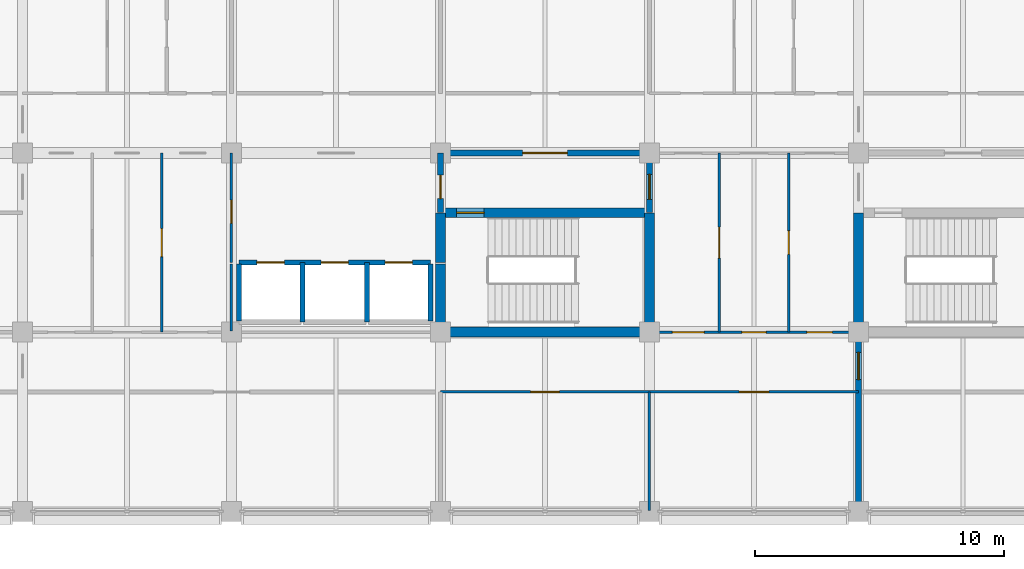
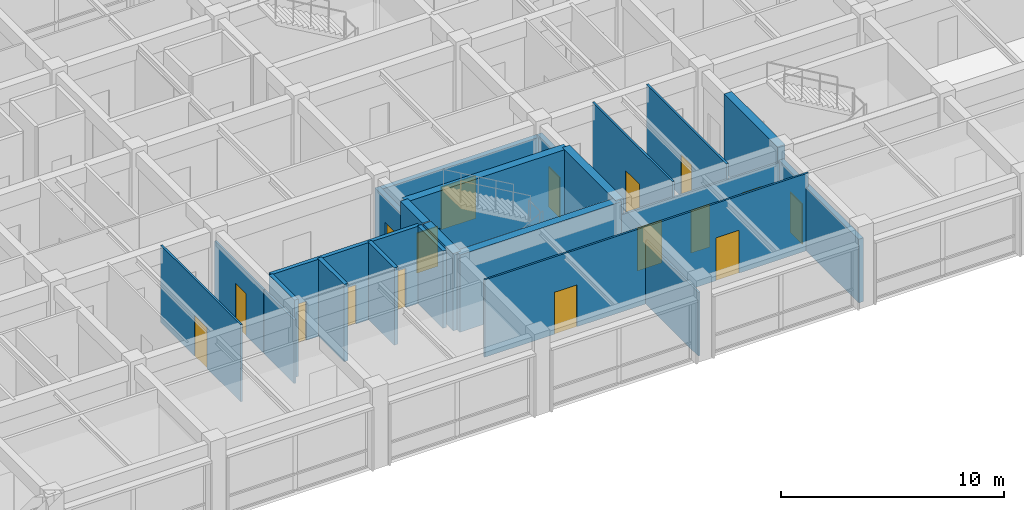
# One storey, part 21 of 30: 23 walls, 17 doors, 17 openings.
"""IFC4 building model written with IfcOpenShell, lengths in metres."""

from ifc_helpers import new_model, si_unit, direction, frame, frame_2d, origin, place, context, subcontext, project, spatial, rectangle, extrude, material, layer, layer_set, type_object, element, fill, save


model = new_model("IFC4")

# Units and contexts
model_context = context("Model", 3, precision=1e-05, world=origin(), true_north=direction((0.0, 1.0)))
body_context = subcontext(model_context, "Body", "Model", "MODEL_VIEW")
ifc_project = project(units=[si_unit("LENGTHUNIT", "METRE"), si_unit("AREAUNIT", "SQUARE_METRE"), si_unit("VOLUMEUNIT", "CUBIC_METRE"), si_unit("PLANEANGLEUNIT", "RADIAN"), si_unit("MASSUNIT", "GRAM", prefix="KILO")], contexts=[model_context])

# Site, building, storey
site_placement = place(None, origin())
site = spatial("IfcSite", under=ifc_project, at=site_placement, CompositionType="ELEMENT")
building_placement = place(site_placement, origin())
building = spatial("IfcBuilding", under=site, at=building_placement, Name="Chengyuan Square Courthouse", CompositionType="ELEMENT")
storey_placement = place(building_placement, frame((0.0, 0.0, 26.10009765625)))
storey = spatial("IfcBuildingStorey", under=building, at=storey_placement, Name="L06", CompositionType="ELEMENT", Elevation=26.10009765625)

# Wall, opening, door
ifc_material_1 = material(Name="Concrete C40", Category="concrete")
ifc_layer_1 = layer(ifc_material_1, 0.25)
ifc_layer_set_1 = layer_set([ifc_layer_1], Name="Concrete C40")
wall_type_1 = type_object("IfcWallType", Name="WL-FW1", PredefinedType="STANDARD", material=ifc_layer_set_1)
wall_1_placement = place(storey_placement, frame((100.800048828125, 93.60009765625, 0.0), z_axis=(0.0, 0.0, 1.0), x_axis=(1.0, 0.0, 0.0)))
wall_1 = element("IfcWall", 1, at=wall_1_placement, inside=storey, type_object=wall_type_1, Name="Interior Wall WL-L06-I2396", PredefinedType="STANDARD", context=body_context, shape_type="SweptSolid", body=[
    extrude(rectangle(XDim=8.39990234375, YDim=0.25, at=frame_2d((4.199951171875, 0.0))), origin(), (0.0, 0.0, 1.0), 3.389892578125),
])
opening_1_placement = place(wall_1_placement, frame((3.300048828125, 0.0, 0.0)))
opening_1 = element("IfcOpeningElement", 2, at=opening_1_placement, cuts=wall_1, Name="Opening DR-2127", PredefinedType="OPENING", context=body_context, shape_type="SweptSolid", body=[
    extrude(rectangle(XDim=1.800048828125, YDim=2.35009765625, at=frame_2d((0.89990234375, 1.175048828125))), frame((0.0, 0.136962890625, 0.0), z_axis=(0.0, -1.0, 0.0), x_axis=(1.0, 0.0, 0.0)), (0.0, 0.0, 1.0), 0.27392578125),
])
ifc_material_2 = material(Name="Steel Q235B Glazed Fire Door", Category="steel")
door_type_1 = type_object("IfcDoorType", Name="DT-18", OperationType="DOUBLE_DOOR_SINGLE_SWING", PredefinedType="DOOR", material=ifc_material_2)
door_1_placement = place(opening_1_placement, frame((1.800048828125, 0.0, 0.0), z_axis=(0.0, 0.0, 1.0), x_axis=(-1.0, 0.0, 0.0)))
door_1 = element("IfcDoor", 3, at=door_1_placement, inside=storey, type_object=door_type_1, Name="Interior Door DR-2127", OperationType="DOUBLE_DOOR_SINGLE_SWING", OverallHeight=2.35009765625, OverallWidth=1.800048828125, PredefinedType="DOOR", context=body_context, shape_type="SweptSolid", body=[
    extrude(rectangle(XDim=1.800048828125, YDim=2.35009765625, at=frame_2d((0.89990234375, 1.175048828125))), frame((0.0, 0.02490234375, 0.0), z_axis=(0.0, -1.0, 0.0), x_axis=(1.0, 0.0, 0.0)), (0.0, 0.0, 1.0), 0.050048828125),
])
fill(opening_1, door_1)

wall_2_placement = place(storey_placement, frame((100.800048828125, 91.199951171875, 0.0), z_axis=(0.0, 0.0, 1.0), x_axis=(0.0, 1.0, 0.0)))
wall_2 = element("IfcWall", 4, at=wall_2_placement, inside=storey, type_object=wall_type_1, Name="Interior Wall WL-L06-I2574", PredefinedType="STANDARD", context=body_context, shape_type="SweptSolid", body=[
    extrude(rectangle(XDim=2.400146484375, YDim=0.25, at=frame_2d((1.2001953125, 0.0))), origin(), (0.0, 0.0, 1.0), 3.489990234375),
])
opening_2_placement = place(wall_2_placement, frame((0.56494140625, 0.0, 0.0)))
opening_2 = element("IfcOpeningElement", 5, at=opening_2_placement, cuts=wall_2, Name="Opening DR-2126", PredefinedType="OPENING", context=body_context, shape_type="SweptSolid", body=[
    extrude(rectangle(XDim=0.949951171875, YDim=2.14990234375, at=frame_2d((0.47509765625, 1.074951171875))), frame((0.0, 0.136962890625, 0.0), z_axis=(0.0, -1.0, 0.0), x_axis=(1.0, 0.0, 0.0)), (0.0, 0.0, 1.0), 0.27392578125),
])
ifc_material_3 = material(Name="Steel Q235B Fire Door", Category="steel")
door_type_2 = type_object("IfcDoorType", Name="DT-12", OperationType="NOTDEFINED", PredefinedType="DOOR", material=ifc_material_3)
door_2_placement = place(opening_2_placement, origin())
door_2 = element("IfcDoor", 6, at=door_2_placement, inside=storey, type_object=door_type_2, Name="Interior Door DR-2126", OperationType="SINGLE_SWING_LEFT", OverallHeight=2.14990234375, OverallWidth=0.949951171875, PredefinedType="DOOR", context=body_context, shape_type="SweptSolid", body=[
    extrude(rectangle(XDim=0.949951171875, YDim=2.14990234375, at=frame_2d((0.47509765625, 1.074951171875))), frame((0.0, 0.02490234375, 0.0), z_axis=(0.0, -1.0, 0.0), x_axis=(1.0, 0.0, 0.0)), (0.0, 0.0, 1.0), 0.050048828125),
])
fill(opening_2, door_2)

wall_3_placement = place(storey_placement, frame((109.199951171875, 91.199951171875, 0.0), z_axis=(0.0, 0.0, 1.0), x_axis=(0.0, 1.0, 0.0)))
wall_3 = element("IfcWall", 7, at=wall_3_placement, inside=storey, type_object=wall_type_1, Name="Interior Wall WL-L06-I2582", PredefinedType="STANDARD", context=body_context, shape_type="SweptSolid", body=[
    extrude(rectangle(XDim=2.400146484375, YDim=0.25, at=frame_2d((1.2001953125, 0.0))), origin(), (0.0, 0.0, 1.0), 3.489990234375),
])
opening_3_placement = place(wall_3_placement, frame((0.5400390625, 0.0, 0.0)))
opening_3 = element("IfcOpeningElement", 8, at=opening_3_placement, cuts=wall_3, Name="Opening DR-2128", PredefinedType="OPENING", context=body_context, shape_type="SweptSolid", body=[
    extrude(rectangle(XDim=1.0, YDim=2.199951171875, at=frame_2d((0.5, 1.10009765625))), frame((0.0, 0.136962890625, 0.0), z_axis=(0.0, -1.0, 0.0), x_axis=(1.0, 0.0, 0.0)), (0.0, 0.0, 1.0), 0.27392578125),
])
door_type_3 = type_object("IfcDoorType", Name="DT-11", OperationType="NOTDEFINED", PredefinedType="DOOR", material=ifc_material_3)
door_3_placement = place(opening_3_placement, origin())
door_3 = element("IfcDoor", 9, at=door_3_placement, inside=storey, type_object=door_type_3, Name="Interior Door DR-2128", OperationType="SINGLE_SWING_RIGHT", OverallHeight=2.199951171875, OverallWidth=1.0, PredefinedType="DOOR", context=body_context, shape_type="SweptSolid", body=[
    extrude(rectangle(XDim=1.0, YDim=2.199951171875, at=frame_2d((0.5, 1.10009765625))), frame((0.0, 0.02490234375, 0.0), z_axis=(0.0, -1.0, 0.0), x_axis=(1.0, 0.0, 0.0)), (0.0, 0.0, 1.0), 0.050048828125),
])
fill(opening_3, door_3)

wall_4_placement = place(storey_placement, frame((117.60009765625, 79.239990234375, 0.0), z_axis=(0.0, 0.0, 1.0), x_axis=(0.0, 1.0, 0.0)))
wall_4 = element("IfcWall", 10, at=wall_4_placement, inside=storey, type_object=wall_type_1, Name="Interior Wall WL-L06-I2595", PredefinedType="STANDARD", context=body_context, shape_type="SweptSolid", body=[
    extrude(rectangle(XDim=7.159912109375, YDim=0.25, at=frame_2d((3.580078125, 0.0))), origin(), (0.0, 0.0, 1.0), 3.489990234375),
])
opening_4_placement = place(wall_4_placement, frame((5.25, 0.0, 0.0)))
opening_4 = element("IfcOpeningElement", 11, at=opening_4_placement, cuts=wall_4, Name="Opening DR-2295", PredefinedType="OPENING", context=body_context, shape_type="SweptSolid", body=[
    extrude(rectangle(XDim=1.10009765625, YDim=2.199951171875, at=frame_2d((0.550048828125, 1.10009765625))), frame((0.0, 0.136962890625, 0.0), z_axis=(0.0, -1.0, 0.0), x_axis=(1.0, 0.0, 0.0)), (0.0, 0.0, 1.0), 0.27392578125),
])
door_type_4 = type_object("IfcDoorType", Name="DT-10", OperationType="NOTDEFINED", PredefinedType="DOOR", material=ifc_material_3)
door_4_placement = place(opening_4_placement, origin())
door_4 = element("IfcDoor", 12, at=door_4_placement, inside=storey, type_object=door_type_4, Name="Interior Door DR-2295", OperationType="SINGLE_SWING_LEFT", OverallHeight=2.199951171875, OverallWidth=1.10009765625, PredefinedType="DOOR", context=body_context, shape_type="SweptSolid", body=[
    extrude(rectangle(XDim=1.10009765625, YDim=2.199951171875, at=frame_2d((0.550048828125, 1.10009765625))), frame((0.0, 0.02490234375, 0.0), z_axis=(0.0, -1.0, 0.0), x_axis=(1.0, 0.0, 0.0)), (0.0, 0.0, 1.0), 0.050048828125),
])
fill(opening_4, door_4)

# Wall, openings, doors
ifc_material_4 = material(Name="Gypsum Plasterboard Acoustic Stud Partition")
ifc_layer_2 = layer(ifc_material_4, 0.10009765625)
ifc_layer_set_2 = layer_set([ifc_layer_2], Name="Gypsum Plasterboard Acoustic Stud Partition")
wall_type_2 = type_object("IfcWallType", Name="WL-PT6", PredefinedType="STANDARD", material=ifc_layer_set_2)
wall_5_placement = place(storey_placement, frame((100.800048828125, 84.0, 0.0), z_axis=(0.0, 0.0, 1.0), x_axis=(1.0, 0.0, 0.0)))
wall_5 = element("IfcWall", 13, at=wall_5_placement, inside=storey, type_object=wall_type_2, Name="Interior Wall WL-L06-I2363", PredefinedType="STANDARD", context=body_context, shape_type="SweptSolid", body=[
    extrude(rectangle(XDim=16.800048828125, YDim=0.10009765625, at=frame_2d((8.39990234375, 0.0))), origin(), (0.0, 0.0, 1.0), 4.239990234375),
])
opening_5_placement = place(wall_5_placement, frame((3.6201171875, 0.0, 0.0)))
opening_5 = element("IfcOpeningElement", 14, at=opening_5_placement, cuts=wall_5, Name="Opening DR-2297", PredefinedType="OPENING", context=body_context, shape_type="SweptSolid", body=[
    extrude(rectangle(XDim=1.159912109375, YDim=2.300048828125, at=frame_2d((0.580078125, 1.14990234375))), frame((0.0, 0.06201171875, 0.0), z_axis=(0.0, -1.0, 0.0), x_axis=(1.0, 0.0, 0.0)), (0.0, 0.0, 1.0), 0.1240234375),
])
opening_6_placement = place(wall_5_placement, frame((12.0, 0.0, 0.0)))
opening_6 = element("IfcOpeningElement", 15, at=opening_6_placement, cuts=wall_5, Name="Opening DR-2298", PredefinedType="OPENING", context=body_context, shape_type="SweptSolid", body=[
    extrude(rectangle(XDim=1.199951171875, YDim=2.35009765625, at=frame_2d((0.60009765625, 1.175048828125))), frame((0.0, 0.06201171875, 0.0), z_axis=(0.0, -1.0, 0.0), x_axis=(1.0, 0.0, 0.0)), (0.0, 0.0, 1.0), 0.1240234375),
])
ifc_material_5 = material(Name="Acoustic Solid-Core Timber Door", Category="wood")
door_type_5 = type_object("IfcDoorType", Name="DT-35", OperationType="NOTDEFINED", PredefinedType="DOOR", material=ifc_material_5)
door_5_placement = place(opening_5_placement, origin())
door_5 = element("IfcDoor", 16, at=door_5_placement, inside=storey, type_object=door_type_5, Name="Interior Door DR-2297", OperationType="SINGLE_SWING_RIGHT", OverallHeight=2.300048828125, OverallWidth=1.159912109375, PredefinedType="DOOR", context=body_context, shape_type="SweptSolid", body=[
    extrude(rectangle(XDim=1.159912109375, YDim=2.300048828125, at=frame_2d((0.580078125, 1.14990234375))), frame((0.0, 0.02490234375, 0.0), z_axis=(0.0, -1.0, 0.0), x_axis=(1.0, 0.0, 0.0)), (0.0, 0.0, 1.0), 0.050048828125),
])
fill(opening_5, door_5)
door_type_6 = type_object("IfcDoorType", Name="DT-36", OperationType="NOTDEFINED", PredefinedType="DOOR", material=ifc_material_5)
door_6_placement = place(opening_6_placement, origin())
door_6 = element("IfcDoor", 17, at=door_6_placement, inside=storey, type_object=door_type_6, Name="Interior Door DR-2298", OperationType="SINGLE_SWING_LEFT", OverallHeight=2.35009765625, OverallWidth=1.199951171875, PredefinedType="DOOR", context=body_context, shape_type="SweptSolid", body=[
    extrude(rectangle(XDim=1.199951171875, YDim=2.35009765625, at=frame_2d((0.60009765625, 1.175048828125))), frame((0.0, 0.02490234375, 0.0), z_axis=(0.0, -1.0, 0.0), x_axis=(1.0, 0.0, 0.0)), (0.0, 0.0, 1.0), 0.050048828125),
])
fill(opening_6, door_6)

wall_6_placement = place(storey_placement, frame((109.199951171875, 86.39990234375, 0.0), z_axis=(0.0, 0.0, 1.0), x_axis=(1.0, 0.0, 0.0)))
wall_6 = element("IfcWall", 18, at=wall_6_placement, inside=storey, type_object=wall_type_2, Name="Interior Wall WL-L06-I2375", PredefinedType="STANDARD", context=body_context, shape_type="SweptSolid", body=[
    extrude(rectangle(XDim=8.400146484375, YDim=0.10009765625, at=frame_2d((4.2001953125, 0.0))), origin(), (0.0, 0.0, 1.0), 3.389892578125),
])
opening_7_placement = place(wall_6_placement, frame((0.919921875, 0.0, 0.0)))
opening_7 = element("IfcOpeningElement", 19, at=opening_7_placement, cuts=wall_6, Name="Opening DR-2266", PredefinedType="OPENING", context=body_context, shape_type="SweptSolid", body=[
    extrude(rectangle(XDim=1.280029296875, YDim=2.35009765625, at=frame_2d((0.64013671875, 1.175048828125))), frame((0.0, 0.06201171875, 0.0), z_axis=(0.0, -1.0, 0.0), x_axis=(1.0, 0.0, 0.0)), (0.0, 0.0, 1.0), 0.1240234375),
])
opening_8_placement = place(wall_6_placement, frame((3.7099609375, 0.0, 0.0)))
opening_8 = element("IfcOpeningElement", 20, at=opening_8_placement, cuts=wall_6, Name="Opening DR-2268", PredefinedType="OPENING", context=body_context, shape_type="SweptSolid", body=[
    extrude(rectangle(XDim=0.97998046875, YDim=2.35009765625, at=frame_2d((0.489990234375, 1.175048828125))), frame((0.0, 0.06201171875, 0.0), z_axis=(0.0, -1.0, 0.0), x_axis=(1.0, 0.0, 0.0)), (0.0, 0.0, 1.0), 0.1240234375),
])
opening_9_placement = place(wall_6_placement, frame((6.330078125, 0.0, 0.0)))
opening_9 = element("IfcOpeningElement", 21, at=opening_9_placement, cuts=wall_6, Name="Opening DR-2269", PredefinedType="OPENING", context=body_context, shape_type="SweptSolid", body=[
    extrude(rectangle(XDim=1.02001953125, YDim=2.39990234375, at=frame_2d((0.510009765625, 1.199951171875))), frame((0.0, 0.06201171875, 0.0), z_axis=(0.0, -1.0, 0.0), x_axis=(1.0, 0.0, 0.0)), (0.0, 0.0, 1.0), 0.1240234375),
])
door_type_7 = type_object("IfcDoorType", Name="DT-38", OperationType="NOTDEFINED", PredefinedType="DOOR", material=ifc_material_5)
door_7_placement = place(opening_7_placement, origin())
door_7 = element("IfcDoor", 22, at=door_7_placement, inside=storey, type_object=door_type_7, Name="Interior Door DR-2266", OperationType="SINGLE_SWING_LEFT", OverallHeight=2.35009765625, OverallWidth=1.280029296875, PredefinedType="DOOR", context=body_context, shape_type="SweptSolid", body=[
    extrude(rectangle(XDim=1.280029296875, YDim=2.35009765625, at=frame_2d((0.64013671875, 1.175048828125))), frame((0.0, 0.02490234375, 0.0), z_axis=(0.0, -1.0, 0.0), x_axis=(1.0, 0.0, 0.0)), (0.0, 0.0, 1.0), 0.050048828125),
])
fill(opening_7, door_7)
door_type_8 = type_object("IfcDoorType", Name="DT-40", OperationType="NOTDEFINED", PredefinedType="DOOR", material=ifc_material_5)
door_8_placement = place(opening_8_placement, origin())
door_8 = element("IfcDoor", 23, at=door_8_placement, inside=storey, type_object=door_type_8, Name="Interior Door DR-2268", OperationType="SINGLE_SWING_LEFT", OverallHeight=2.35009765625, OverallWidth=0.97998046875, PredefinedType="DOOR", context=body_context, shape_type="SweptSolid", body=[
    extrude(rectangle(XDim=0.97998046875, YDim=2.35009765625, at=frame_2d((0.489990234375, 1.175048828125))), frame((0.0, 0.02490234375, 0.0), z_axis=(0.0, -1.0, 0.0), x_axis=(1.0, 0.0, 0.0)), (0.0, 0.0, 1.0), 0.050048828125),
])
fill(opening_8, door_8)
door_type_9 = type_object("IfcDoorType", Name="DT-41", OperationType="NOTDEFINED", PredefinedType="DOOR", material=ifc_material_5)
door_9_placement = place(opening_9_placement, origin())
door_9 = element("IfcDoor", 24, at=door_9_placement, inside=storey, type_object=door_type_9, Name="Interior Door DR-2269", OperationType="SINGLE_SWING_RIGHT", OverallHeight=2.39990234375, OverallWidth=1.02001953125, PredefinedType="DOOR", context=body_context, shape_type="SweptSolid", body=[
    extrude(rectangle(XDim=1.02001953125, YDim=2.39990234375, at=frame_2d((0.510009765625, 1.199951171875))), frame((0.0, 0.02490234375, 0.0), z_axis=(0.0, -1.0, 0.0), x_axis=(1.0, 0.0, 0.0)), (0.0, 0.0, 1.0), 0.050048828125),
])
fill(opening_9, door_9)

# Wall, opening, door
wall_7_placement = place(storey_placement, frame((89.60009765625, 86.39990234375, 0.0), z_axis=(0.0, 0.0, 1.0), x_axis=(0.0, 1.0, 0.0)))
wall_7 = element("IfcWall", 25, at=wall_7_placement, inside=storey, type_object=wall_type_2, Name="Interior Wall WL-L06-I2554", PredefinedType="STANDARD", context=body_context, shape_type="SweptSolid", body=[
    extrude(rectangle(XDim=7.2001953125, YDim=0.10009765625, at=frame_2d((3.60009765625, 0.0))), origin(), (0.0, 0.0, 1.0), 4.239990234375),
])
opening_10_placement = place(wall_7_placement, frame((3.0400390625, 0.0, 0.0)))
opening_10 = element("IfcOpeningElement", 26, at=opening_10_placement, cuts=wall_7, Name="Opening DR-2262", PredefinedType="OPENING", context=body_context, shape_type="SweptSolid", body=[
    extrude(rectangle(XDim=1.1201171875, YDim=2.25, at=frame_2d((0.56005859375, 1.125))), frame((0.0, 0.06201171875, 0.0), z_axis=(0.0, -1.0, 0.0), x_axis=(1.0, 0.0, 0.0)), (0.0, 0.0, 1.0), 0.1240234375),
])
door_type_10 = type_object("IfcDoorType", Name="DT-34", OperationType="NOTDEFINED", PredefinedType="DOOR", material=ifc_material_5)
door_10_placement = place(opening_10_placement, origin())
door_10 = element("IfcDoor", 27, at=door_10_placement, inside=storey, type_object=door_type_10, Name="Interior Door DR-2262", OperationType="SINGLE_SWING_LEFT", OverallHeight=2.25, OverallWidth=1.1201171875, PredefinedType="DOOR", context=body_context, shape_type="SweptSolid", body=[
    extrude(rectangle(XDim=1.1201171875, YDim=2.25, at=frame_2d((0.56005859375, 1.125))), frame((0.0, 0.02490234375, 0.0), z_axis=(0.0, -1.0, 0.0), x_axis=(1.0, 0.0, 0.0)), (0.0, 0.0, 1.0), 0.050048828125),
])
fill(opening_10, door_10)

# Wall
wall_8_placement = place(storey_placement, frame((92.39990234375, 86.449951171875, 0.0), z_axis=(0.0, 0.0, 1.0), x_axis=(0.0, 1.0, 0.0)))
element("IfcWall", 28, at=wall_8_placement, inside=storey, type_object=wall_type_2, Name="Interior Wall WL-L06-I2557", PredefinedType="STANDARD", context=body_context, shape_type="SweptSolid", body=[
    extrude(rectangle(XDim=2.699951171875, YDim=0.10009765625, at=frame_2d((1.35009765625, 0.0))), origin(), (0.0, 0.0, 1.0), 3.489990234375),
])

# Wall, opening, door
wall_9_placement = place(storey_placement, frame((92.39990234375, 89.199951171875, 0.0), z_axis=(0.0, 0.0, 1.0), x_axis=(0.0, 1.0, 0.0)))
wall_9 = element("IfcWall", 29, at=wall_9_placement, inside=storey, type_object=wall_type_2, Name="Interior Wall WL-L06-I2558", PredefinedType="STANDARD", context=body_context, shape_type="SweptSolid", body=[
    extrude(rectangle(XDim=4.400146484375, YDim=0.10009765625, at=frame_2d((2.2001953125, 0.0))), origin(), (0.0, 0.0, 1.0), 3.489990234375),
])
opening_11_placement = place(wall_9_placement, frame((1.570068359375, 0.0, 0.0)))
opening_11 = element("IfcOpeningElement", 30, at=opening_11_placement, cuts=wall_9, Name="Opening DR-2165", PredefinedType="OPENING", context=body_context, shape_type="SweptSolid", body=[
    extrude(rectangle(XDim=0.93994140625, YDim=2.300048828125, at=frame_2d((0.469970703125, 1.14990234375))), frame((0.0, 0.06201171875, 0.0), z_axis=(0.0, -1.0, 0.0), x_axis=(1.0, 0.0, 0.0)), (0.0, 0.0, 1.0), 0.1240234375),
])
door_type_11 = type_object("IfcDoorType", Name="DT-39", OperationType="NOTDEFINED", PredefinedType="DOOR", material=ifc_material_5)
door_11_placement = place(opening_11_placement, origin())
door_11 = element("IfcDoor", 31, at=door_11_placement, inside=storey, type_object=door_type_11, Name="Interior Door DR-2165", OperationType="SINGLE_SWING_RIGHT", OverallHeight=2.300048828125, OverallWidth=0.93994140625, PredefinedType="DOOR", context=body_context, shape_type="SweptSolid", body=[
    extrude(rectangle(XDim=0.93994140625, YDim=2.300048828125, at=frame_2d((0.469970703125, 1.14990234375))), frame((0.0, 0.02490234375, 0.0), z_axis=(0.0, -1.0, 0.0), x_axis=(1.0, 0.0, 0.0)), (0.0, 0.0, 1.0), 0.050048828125),
])
fill(opening_11, door_11)

# Wall
wall_10_placement = place(storey_placement, frame((109.199951171875, 79.239990234375, 0.0), z_axis=(0.0, 0.0, 1.0), x_axis=(0.0, 1.0, 0.0)))
element("IfcWall", 32, at=wall_10_placement, inside=storey, type_object=wall_type_2, Name="Interior Wall WL-L06-I2580", PredefinedType="STANDARD", context=body_context, shape_type="SweptSolid", body=[
    extrude(rectangle(XDim=4.760009765625, YDim=0.10009765625, at=frame_2d((2.3798828125, 0.0))), origin(), (0.0, 0.0, 1.0), 3.489990234375),
])

# Wall, opening, door
wall_11_placement = place(storey_placement, frame((112.0, 86.39990234375, 0.0), z_axis=(0.0, 0.0, 1.0), x_axis=(0.0, 1.0, 0.0)))
wall_11 = element("IfcWall", 33, at=wall_11_placement, inside=storey, type_object=wall_type_2, Name="Interior Wall WL-L06-I2587", PredefinedType="STANDARD", context=body_context, shape_type="SweptSolid", body=[
    extrude(rectangle(XDim=7.2001953125, YDim=0.10009765625, at=frame_2d((3.60009765625, 0.0))), origin(), (0.0, 0.0, 1.0), 4.239990234375),
])
opening_12_placement = place(wall_11_placement, frame((2.97998046875, 0.0, 0.0)))
opening_12 = element("IfcOpeningElement", 34, at=opening_12_placement, cuts=wall_11, Name="Opening DR-2265", PredefinedType="OPENING", context=body_context, shape_type="SweptSolid", body=[
    extrude(rectangle(XDim=1.239990234375, YDim=2.300048828125, at=frame_2d((0.6201171875, 1.14990234375))), frame((0.0, 0.06201171875, 0.0), z_axis=(0.0, -1.0, 0.0), x_axis=(1.0, 0.0, 0.0)), (0.0, 0.0, 1.0), 0.1240234375),
])
door_type_12 = type_object("IfcDoorType", Name="DT-37", OperationType="NOTDEFINED", PredefinedType="DOOR", material=ifc_material_5)
door_12_placement = place(opening_12_placement, origin())
door_12 = element("IfcDoor", 35, at=door_12_placement, inside=storey, type_object=door_type_12, Name="Interior Door DR-2265", OperationType="SINGLE_SWING_RIGHT", OverallHeight=2.300048828125, OverallWidth=1.239990234375, PredefinedType="DOOR", context=body_context, shape_type="SweptSolid", body=[
    extrude(rectangle(XDim=1.239990234375, YDim=2.300048828125, at=frame_2d((0.6201171875, 1.14990234375))), frame((0.0, 0.02490234375, 0.0), z_axis=(0.0, -1.0, 0.0), x_axis=(1.0, 0.0, 0.0)), (0.0, 0.0, 1.0), 0.050048828125),
])
fill(opening_12, door_12)

wall_12_placement = place(storey_placement, frame((114.800048828125, 86.39990234375, 0.0), z_axis=(0.0, 0.0, 1.0), x_axis=(0.0, 1.0, 0.0)))
wall_12 = element("IfcWall", 36, at=wall_12_placement, inside=storey, type_object=wall_type_2, Name="Interior Wall WL-L06-I2592", PredefinedType="STANDARD", context=body_context, shape_type="SweptSolid", body=[
    extrude(rectangle(XDim=7.2001953125, YDim=0.10009765625, at=frame_2d((3.60009765625, 0.0))), origin(), (0.0, 0.0, 1.0), 4.239990234375),
])
opening_13_placement = place(wall_12_placement, frame((3.1298828125, 0.0, 0.0)))
opening_13 = element("IfcOpeningElement", 37, at=opening_13_placement, cuts=wall_12, Name="Opening DR-2267", PredefinedType="OPENING", context=body_context, shape_type="SweptSolid", body=[
    extrude(rectangle(XDim=0.93994140625, YDim=2.300048828125, at=frame_2d((0.469970703125, 1.14990234375))), frame((0.0, 0.06201171875, 0.0), z_axis=(0.0, -1.0, 0.0), x_axis=(1.0, 0.0, 0.0)), (0.0, 0.0, 1.0), 0.1240234375),
])
door_13_placement = place(opening_13_placement, origin())
door_13 = element("IfcDoor", 38, at=door_13_placement, inside=storey, type_object=door_type_11, Name="Interior Door DR-2267", OperationType="SINGLE_SWING_RIGHT", OverallHeight=2.300048828125, OverallWidth=0.93994140625, PredefinedType="DOOR", context=body_context, shape_type="SweptSolid", body=[
    extrude(rectangle(XDim=0.93994140625, YDim=2.300048828125, at=frame_2d((0.469970703125, 1.14990234375))), frame((0.0, 0.02490234375, 0.0), z_axis=(0.0, -1.0, 0.0), x_axis=(1.0, 0.0, 0.0)), (0.0, 0.0, 1.0), 0.050048828125),
])
fill(opening_13, door_13)

# Wall, openings, doors
ifc_material_6 = material(Name="Reinforced Masonry Shaft Enclosure", Category="masonry")
ifc_layer_3 = layer(ifc_material_6, 0.199951171875)
ifc_layer_set_3 = layer_set([ifc_layer_3], Name="Reinforced Masonry Shaft Enclosure")
wall_type_3 = type_object("IfcWallType", Name="WL-SH1", PredefinedType="STANDARD", material=ifc_layer_set_3)
wall_13_placement = place(storey_placement, frame((92.699951171875, 89.199951171875, 0.0), z_axis=(0.0, 0.0, 1.0), x_axis=(1.0, 0.0, 0.0)))
wall_13 = element("IfcWall", 39, at=wall_13_placement, inside=storey, type_object=wall_type_3, Name="Interior Wall WL-L06-I2385", PredefinedType="STANDARD", context=body_context, shape_type="SweptSolid", body=[
    extrude(rectangle(XDim=7.699951171875, YDim=0.199951171875, at=frame_2d((3.85009765625, 0.0))), origin(), (0.0, 0.0, 1.0), 4.239990234375),
])
opening_14_placement = place(wall_13_placement, frame((0.72509765625, 0.0, 0.0)))
opening_14 = element("IfcOpeningElement", 40, at=opening_14_placement, cuts=wall_13, Name="Opening LD-112", PredefinedType="OPENING", context=body_context, shape_type="SweptSolid", body=[
    extrude(rectangle(XDim=1.10009765625, YDim=2.14990234375, at=frame_2d((0.550048828125, 1.074951171875))), frame((0.0, 0.112060546875, 0.0), z_axis=(0.0, -1.0, 0.0), x_axis=(1.0, 0.0, 0.0)), (0.0, 0.0, 1.0), 0.223876953125),
])
opening_15_placement = place(wall_13_placement, frame((3.300048828125, 0.0, 0.0)))
opening_15 = element("IfcOpeningElement", 41, at=opening_15_placement, cuts=wall_13, Name="Opening LD-113", PredefinedType="OPENING", context=body_context, shape_type="SweptSolid", body=[
    extrude(rectangle(XDim=1.10009765625, YDim=2.14990234375, at=frame_2d((0.550048828125, 1.074951171875))), frame((0.0, 0.112060546875, 0.0), z_axis=(0.0, -1.0, 0.0), x_axis=(1.0, 0.0, 0.0)), (0.0, 0.0, 1.0), 0.223876953125),
])
opening_16_placement = place(wall_13_placement, frame((5.875, 0.0, 0.0)))
opening_16 = element("IfcOpeningElement", 42, at=opening_16_placement, cuts=wall_13, Name="Opening LD-114", PredefinedType="OPENING", context=body_context, shape_type="SweptSolid", body=[
    extrude(rectangle(XDim=1.10009765625, YDim=2.14990234375, at=frame_2d((0.550048828125, 1.074951171875))), frame((0.0, 0.112060546875, 0.0), z_axis=(0.0, -1.0, 0.0), x_axis=(1.0, 0.0, 0.0)), (0.0, 0.0, 1.0), 0.223876953125),
])
ifc_material_7 = material(Name="Stainless Steel S30408 Lift Landing Door", Category="steel")
door_type_13 = type_object("IfcDoorType", Name="DT-06", OperationType="DOUBLE_DOOR_SLIDING", PredefinedType="DOOR", material=ifc_material_7)
door_14_placement = place(opening_14_placement, origin())
door_14 = element("IfcDoor", 43, at=door_14_placement, inside=storey, type_object=door_type_13, Name="Lift Landing Door LF-P4 L06", OperationType="DOUBLE_DOOR_SLIDING", OverallHeight=2.14990234375, OverallWidth=1.10009765625, PredefinedType="DOOR", context=body_context, shape_type="SweptSolid", body=[
    extrude(rectangle(XDim=1.10009765625, YDim=2.14990234375, at=frame_2d((0.550048828125, 1.074951171875))), frame((0.0, 0.02490234375, 0.0), z_axis=(0.0, -1.0, 0.0), x_axis=(1.0, 0.0, 0.0)), (0.0, 0.0, 1.0), 0.050048828125),
])
fill(opening_14, door_14)
door_15_placement = place(opening_15_placement, origin())
door_15 = element("IfcDoor", 44, at=door_15_placement, inside=storey, type_object=door_type_13, Name="Lift Landing Door LF-P5 L06", OperationType="DOUBLE_DOOR_SLIDING", OverallHeight=2.14990234375, OverallWidth=1.10009765625, PredefinedType="DOOR", context=body_context, shape_type="SweptSolid", body=[
    extrude(rectangle(XDim=1.10009765625, YDim=2.14990234375, at=frame_2d((0.550048828125, 1.074951171875))), frame((0.0, 0.02490234375, 0.0), z_axis=(0.0, -1.0, 0.0), x_axis=(1.0, 0.0, 0.0)), (0.0, 0.0, 1.0), 0.050048828125),
])
fill(opening_15, door_15)
door_16_placement = place(opening_16_placement, origin())
door_16 = element("IfcDoor", 45, at=door_16_placement, inside=storey, type_object=door_type_13, Name="Lift Landing Door LF-P6 L06", OperationType="DOUBLE_DOOR_SLIDING", OverallHeight=2.14990234375, OverallWidth=1.10009765625, PredefinedType="DOOR", context=body_context, shape_type="SweptSolid", body=[
    extrude(rectangle(XDim=1.10009765625, YDim=2.14990234375, at=frame_2d((0.550048828125, 1.074951171875))), frame((0.0, 0.02490234375, 0.0), z_axis=(0.0, -1.0, 0.0), x_axis=(1.0, 0.0, 0.0)), (0.0, 0.0, 1.0), 0.050048828125),
])
fill(opening_16, door_16)

# Walls
wall_14_placement = place(storey_placement, frame((92.699951171875, 86.85009765625, 0.0), z_axis=(0.0, 0.0, 1.0), x_axis=(0.0, 1.0, 0.0)))
element("IfcWall", 46, at=wall_14_placement, inside=storey, type_object=wall_type_3, Name="Interior Wall WL-L06-I2563", PredefinedType="STANDARD", context=body_context, shape_type="SweptSolid", body=[
    extrude(rectangle(XDim=2.2998046875, YDim=0.199951171875, at=frame_2d((1.14990234375, 0.0))), origin(), (0.0, 0.0, 1.0), 4.239990234375),
])
for number, where, z_axis, x_axis, name in (
    (47, (95.25, 86.800048828125, 0.0), (0.0, 0.0, 1.0), (0.0, 1.0, 0.0), "Interior Wall WL-L06-I2564"),
    (48, (97.85009765625, 86.800048828125, 0.0), (0.0, 0.0, 1.0), (0.0, 1.0, 0.0), "Interior Wall WL-L06-I2568"),
):
    element("IfcWall", number, at=place(storey_placement, frame(where, z_axis=z_axis, x_axis=x_axis)), inside=storey, type_object=wall_type_3, Name=name, PredefinedType="STANDARD", context=body_context, shape_type="SweptSolid", body=[
        extrude(rectangle(XDim=2.39990234375, YDim=0.199951171875, at=frame_2d((1.199951171875, 0.0))), origin(), (0.0, 0.0, 1.0), 4.239990234375),
    ])
wall_15_placement = place(storey_placement, frame((100.39990234375, 86.85009765625, 0.0), z_axis=(0.0, 0.0, 1.0), x_axis=(0.0, 1.0, 0.0)))
element("IfcWall", 49, at=wall_15_placement, inside=storey, type_object=wall_type_3, Name="Interior Wall WL-L06-I2569", PredefinedType="STANDARD", context=body_context, shape_type="SweptSolid", body=[
    extrude(rectangle(XDim=2.2998046875, YDim=0.199951171875, at=frame_2d((1.14990234375, 0.0))), origin(), (0.0, 0.0, 1.0), 4.239990234375),
])
ifc_material_8 = material(Name="Concrete C50", Category="concrete")
ifc_layer_4 = layer(ifc_material_8, 0.39990234375)
ifc_layer_set_4 = layer_set([ifc_layer_4], Name="Concrete C50")
wall_type_4 = type_object("IfcWallType", Name="WL-SW1", PredefinedType="SHEAR", material=ifc_layer_set_4)
wall_16_placement = place(storey_placement, frame((100.800048828125, 86.39990234375, 0.0), z_axis=(0.0, 0.0, 1.0), x_axis=(1.0, 0.0, 0.0)))
element("IfcWall", 50, at=wall_16_placement, inside=storey, type_object=wall_type_4, Name="Interior Wall WL-L06-I2374", PredefinedType="SHEAR", context=body_context, shape_type="SweptSolid", body=[
    extrude(rectangle(XDim=8.39990234375, YDim=0.39990234375, at=frame_2d((4.199951171875, 0.0))), origin(), (0.0, 0.0, 1.0), 4.239990234375),
])

# Wall, opening, door
wall_17_placement = place(storey_placement, frame((100.800048828125, 91.199951171875, 0.0), z_axis=(0.0, 0.0, 1.0), x_axis=(1.0, 0.0, 0.0)))
wall_17 = element("IfcWall", 51, at=wall_17_placement, inside=storey, type_object=wall_type_4, Name="Interior Wall WL-L06-I2389", PredefinedType="SHEAR", context=body_context, shape_type="SweptSolid", body=[
    extrude(rectangle(XDim=8.39990234375, YDim=0.39990234375, at=frame_2d((4.199951171875, 0.0))), origin(), (0.0, 0.0, 1.0), 4.239990234375),
])
opening_17_placement = place(wall_17_placement, frame((0.64990234375, 0.0, 0.0)))
opening_17 = element("IfcOpeningElement", 52, at=opening_17_placement, cuts=wall_17, Name="Opening DR-2114", PredefinedType="OPENING", context=body_context, shape_type="SweptSolid", body=[
    extrude(rectangle(XDim=1.10009765625, YDim=2.199951171875, at=frame_2d((0.550048828125, 1.10009765625))), frame((0.0, 0.2119140625, 0.0), z_axis=(0.0, -1.0, 0.0), x_axis=(1.0, 0.0, 0.0)), (0.0, 0.0, 1.0), 0.423828125),
])
door_17_placement = place(opening_17_placement, frame((1.10009765625, 0.0, 0.0), z_axis=(0.0, 0.0, 1.0), x_axis=(-1.0, 0.0, 0.0)))
door_17 = element("IfcDoor", 53, at=door_17_placement, inside=storey, type_object=door_type_4, Name="Smoke-Proof Stairwell Fire Door ST-4 DR-2114", OperationType="SINGLE_SWING_RIGHT", OverallHeight=2.199951171875, OverallWidth=1.10009765625, PredefinedType="DOOR", context=body_context, shape_type="SweptSolid", body=[
    extrude(rectangle(XDim=1.10009765625, YDim=2.199951171875, at=frame_2d((0.550048828125, 1.10009765625))), frame((0.0, 0.02490234375, 0.0), z_axis=(0.0, -1.0, 0.0), x_axis=(1.0, 0.0, 0.0)), (0.0, 0.0, 1.0), 0.050048828125),
])
fill(opening_17, door_17)

# Walls
wall_18_placement = place(storey_placement, frame((100.800048828125, 86.449951171875, 0.0), z_axis=(0.0, 0.0, 1.0), x_axis=(0.0, 1.0, 0.0)))
element("IfcWall", 54, at=wall_18_placement, inside=storey, type_object=wall_type_4, Name="Interior Wall WL-L06-I2572", PredefinedType="SHEAR", context=body_context, shape_type="SweptSolid", body=[
    extrude(rectangle(XDim=2.699951171875, YDim=0.39990234375, at=frame_2d((1.35009765625, 0.0))), origin(), (0.0, 0.0, 1.0), 4.239990234375),
])
wall_19_placement = place(storey_placement, frame((100.800048828125, 89.199951171875, 0.0), z_axis=(0.0, 0.0, 1.0), x_axis=(0.0, 1.0, 0.0)))
element("IfcWall", 55, at=wall_19_placement, inside=storey, type_object=wall_type_4, Name="Interior Wall WL-L06-I2573", PredefinedType="SHEAR", context=body_context, shape_type="SweptSolid", body=[
    extrude(rectangle(XDim=2.0, YDim=0.39990234375, at=frame_2d((1.0, 0.0))), origin(), (0.0, 0.0, 1.0), 4.239990234375),
])
for number, where, z_axis, x_axis, name in (
    (56, (109.199951171875, 86.39990234375, 0.0), (0.0, 0.0, 1.0), (0.0, 1.0, 0.0), "Interior Wall WL-L06-I2581"),
    (57, (117.60009765625, 86.39990234375, 0.0), (0.0, 0.0, 1.0), (0.0, 1.0, 0.0), "Interior Wall WL-L06-I2596"),
):
    element("IfcWall", number, at=place(storey_placement, frame(where, z_axis=z_axis, x_axis=x_axis)), inside=storey, type_object=wall_type_4, Name=name, PredefinedType="SHEAR", context=body_context, shape_type="SweptSolid", body=[
        extrude(rectangle(XDim=4.800048828125, YDim=0.39990234375, at=frame_2d((2.39990234375, 0.0))), origin(), (0.0, 0.0, 1.0), 4.239990234375),
    ])

save(model, "model.ifc")
